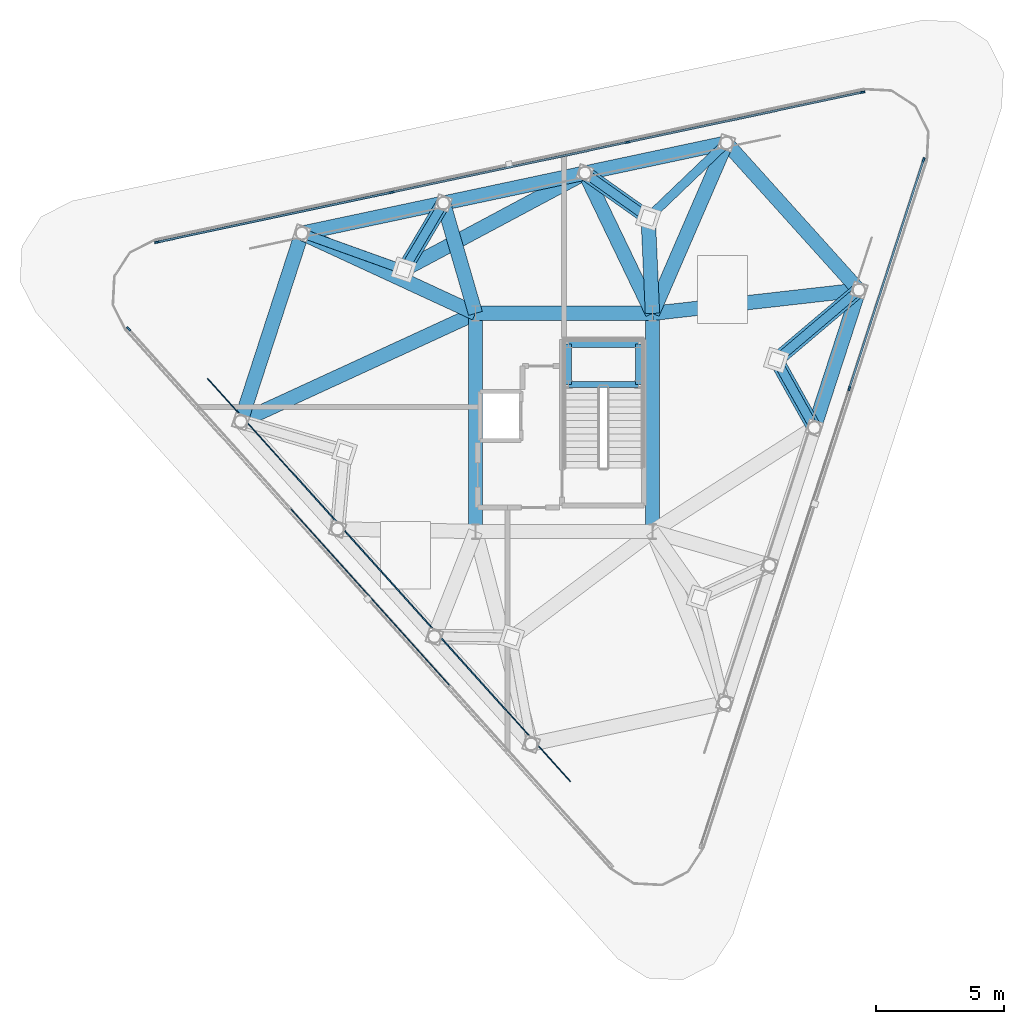
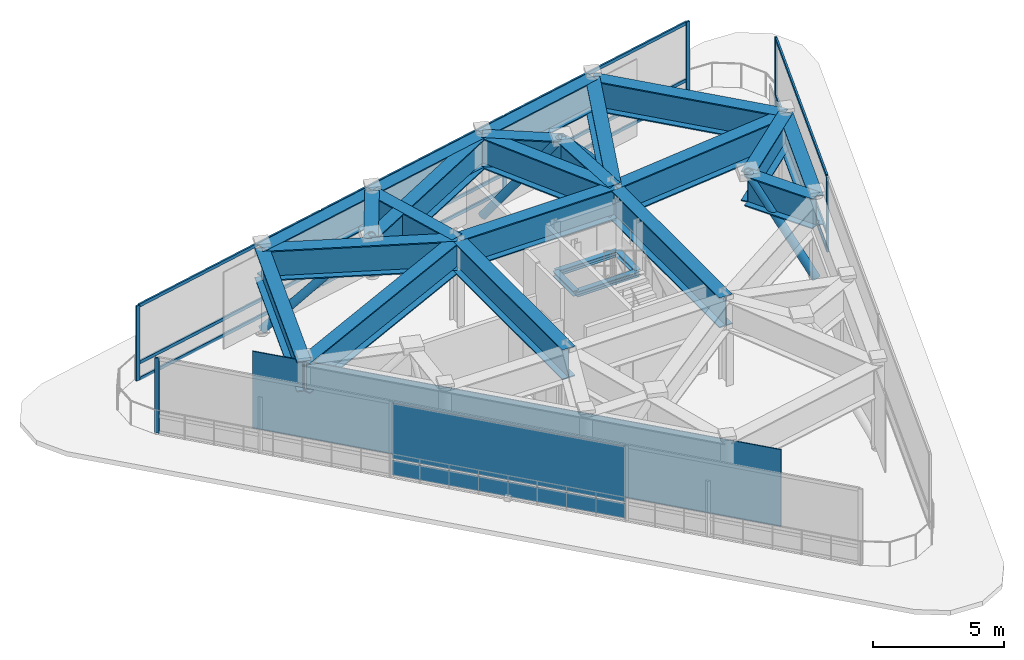
# One storey, part 2 of 6: 25 beams, 25 members, 3 plates, 3 elements without a shape of their own.
"""IFC4 building model written with IfcOpenShell, lengths in metres."""

from ifc_helpers import new_model, si_unit, direction, frame, origin, origin_2d, place, context, subcontext, project, spatial, rectangle, hollow_circle, i_section, extrude, material, layer, layer_set, material_profile, profile_set, type_object, element, aggregate, save


model = new_model("IFC4")

# Units and contexts
model_context = context("Model", 3, precision=1e-05, world=origin(), true_north=direction((0.0, 1.0)))
body_context = subcontext(model_context, "Body", "Model", "MODEL_VIEW")
ifc_project = project(units=[si_unit("LENGTHUNIT", "METRE"), si_unit("AREAUNIT", "SQUARE_METRE"), si_unit("VOLUMEUNIT", "CUBIC_METRE"), si_unit("PLANEANGLEUNIT", "RADIAN"), si_unit("MASSUNIT", "GRAM", prefix="KILO")], contexts=[model_context])

# Site, building, storey
site_placement = place(None, origin())
site = spatial("IfcSite", under=ifc_project, at=site_placement, CompositionType="ELEMENT")
building_placement = place(site_placement, origin())
building = spatial("IfcBuilding", under=site, at=building_placement, Name="Terralouvre Media Tower", CompositionType="ELEMENT")
storey_placement = place(building_placement, frame((0.0, 0.0, 326.60009765625)))
storey = spatial("IfcBuildingStorey", under=building, at=storey_placement, Name="L84", CompositionType="ELEMENT", Elevation=326.60009765625)

# Curtain wall, members
ifc_material_1 = material(Name="Low-iron laminated double glazing with solar-control coating", Category="glass")
ifc_layer_1 = layer(ifc_material_1, 0.1650390625, Name="Faceted Glass-Point Crown Curtain Wall CW-06")
ifc_layer_set_1 = layer_set([ifc_layer_1], Name="Low-iron laminated double glazing with solar-control coating")
curtain_wall_type = type_object("IfcCurtainWallType", Name="Faceted Glass-Point Crown Curtain Wall CW-06", PredefinedType="NOTDEFINED", material=ifc_layer_set_1)
curtain_wall_1_placement = place(storey_placement, origin())
curtain_wall_1 = element("IfcCurtainWall", 1, at=curtain_wall_1_placement, inside=storey, type_object=curtain_wall_type, Name="L84 Facade Curtain Wall F0", PredefinedType="NOTDEFINED")
ifc_material_2 = material(Name="Anodised extruded aluminium 6063-T6", Category="aluminium")
ifc_material_profile_1 = material_profile(ifc_material_2, rectangle(XDim=0.074951171875, YDim=0.14990234375, at=origin_2d()), Name="ALU 75x150")
ifc_profile_set_1 = profile_set([ifc_material_profile_1], Name="Anodised extruded aluminium 6063-T6")
member_type_1 = type_object("IfcMemberType", Name="Curtain-Wall Horizontal Transom TR-150", PredefinedType="USERDEFINED", material=ifc_profile_set_1)
member_1_placement = place(storey_placement, frame((11.13671875, 1.36279296875, 0.037353515625), z_axis=(0.309034359015, 0.951050874006, 0.0), x_axis=(-0.951050874006, 0.309034359015, 0.0)))
member_1 = element("IfcMember", 2, at=member_1_placement, type_object=member_type_1, Name="CW-06 transom 3.1", ObjectType="TRANSOM", PredefinedType="USERDEFINED", context=body_context, shape_type="SweptSolid", body=[
    extrude(rectangle(XDim=0.074951171875, YDim=0.14990234375, at=origin_2d()), origin(), (0.0, 0.0, 1.0), 9.287353515625),
])
member_2_placement = place(storey_placement, frame((11.13671875, 1.36279296875, 0.7998046875), z_axis=(0.309034359015, 0.951050874006, 0.0), x_axis=(-0.951050874006, 0.309034359015, 0.0)))
member_2 = element("IfcMember", 3, at=member_2_placement, type_object=member_type_1, Name="CW-06 transom 3.2", ObjectType="TRANSOM", PredefinedType="USERDEFINED", context=body_context, shape_type="SweptSolid", body=[
    extrude(rectangle(XDim=0.074951171875, YDim=0.14990234375, at=origin_2d()), origin(), (0.0, 0.0, 1.0), 9.287353515625),
])
member_3_placement = place(storey_placement, frame((11.13671875, 1.36279296875, 3.4423828125), z_axis=(0.309034359015, 0.951050874006, 0.0), x_axis=(-0.951050874006, 0.309034359015, 0.0)))
member_3 = element("IfcMember", 4, at=member_3_placement, type_object=member_type_1, Name="CW-06 transom 3.3", ObjectType="TRANSOM", PredefinedType="USERDEFINED", context=body_context, shape_type="SweptSolid", body=[
    extrude(rectangle(XDim=0.074951171875, YDim=0.14990234375, at=origin_2d()), origin(), (0.0, 0.0, 1.0), 9.287353515625),
])

curtain_wall_2_placement = place(storey_placement, origin())
curtain_wall_2 = element("IfcCurtainWall", 5, at=curtain_wall_2_placement, inside=storey, type_object=curtain_wall_type, Name="L84 Facade Curtain Wall F1", PredefinedType="NOTDEFINED")
member_4_placement = place(storey_placement, frame((11.60400390625, 12.8642578125, 0.037353515625), z_axis=(-0.978149964696, -0.207900568939, 0.0), x_axis=(0.207900568939, -0.978149964696, 0.0)))
member_4 = element("IfcMember", 6, at=member_4_placement, type_object=member_type_1, Name="CW-06 transom 1.1", ObjectType="TRANSOM", PredefinedType="USERDEFINED", context=body_context, shape_type="SweptSolid", body=[
    extrude(rectangle(XDim=0.074951171875, YDim=0.14990234375, at=origin_2d()), origin(), (0.0, 0.0, 1.0), 9.28759765625),
])
member_5_placement = place(storey_placement, frame((11.60400390625, 12.8642578125, 0.7998046875), z_axis=(-0.978149964696, -0.207900568939, 0.0), x_axis=(0.207900568939, -0.978149964696, 0.0)))
member_5 = element("IfcMember", 7, at=member_5_placement, type_object=member_type_1, Name="CW-06 transom 1.2", ObjectType="TRANSOM", PredefinedType="USERDEFINED", context=body_context, shape_type="SweptSolid", body=[
    extrude(rectangle(XDim=0.074951171875, YDim=0.14990234375, at=origin_2d()), origin(), (0.0, 0.0, 1.0), 9.28759765625),
])
member_6_placement = place(storey_placement, frame((11.60400390625, 12.8642578125, 3.4423828125), z_axis=(-0.978149964696, -0.207900568939, 0.0), x_axis=(0.207900568939, -0.978149964696, 0.0)))
member_6 = element("IfcMember", 8, at=member_6_placement, type_object=member_type_1, Name="CW-06 transom 1.3", ObjectType="TRANSOM", PredefinedType="USERDEFINED", context=body_context, shape_type="SweptSolid", body=[
    extrude(rectangle(XDim=0.074951171875, YDim=0.14990234375, at=origin_2d()), origin(), (0.0, 0.0, 1.0), 9.28759765625),
])
member_7_placement = place(storey_placement, frame((2.446044921875, 10.917724609375, 0.037353515625), z_axis=(-0.978149334857, -0.207903532242, 0.0), x_axis=(0.207903532242, -0.978149334857, 0.0)))
member_7 = element("IfcMember", 9, at=member_7_placement, type_object=member_type_1, Name="CW-06 transom 2.1", ObjectType="TRANSOM", PredefinedType="USERDEFINED", context=body_context, shape_type="SweptSolid", body=[
    extrude(rectangle(XDim=0.074951171875, YDim=0.14990234375, at=origin_2d()), origin(), (0.0, 0.0, 1.0), 9.3251953125),
])
member_8_placement = place(storey_placement, frame((2.446044921875, 10.917724609375, 0.7998046875), z_axis=(-0.978149334857, -0.207903532242, 0.0), x_axis=(0.207903532242, -0.978149334857, 0.0)))
member_8 = element("IfcMember", 10, at=member_8_placement, type_object=member_type_1, Name="CW-06 transom 2.2", ObjectType="TRANSOM", PredefinedType="USERDEFINED", context=body_context, shape_type="SweptSolid", body=[
    extrude(rectangle(XDim=0.074951171875, YDim=0.14990234375, at=origin_2d()), origin(), (0.0, 0.0, 1.0), 9.3251953125),
])
member_9_placement = place(storey_placement, frame((2.446044921875, 10.917724609375, 3.4423828125), z_axis=(-0.978149334857, -0.207903532242, 0.0), x_axis=(0.207903532242, -0.978149334857, 0.0)))
member_9 = element("IfcMember", 11, at=member_9_placement, type_object=member_type_1, Name="CW-06 transom 2.3", ObjectType="TRANSOM", PredefinedType="USERDEFINED", context=body_context, shape_type="SweptSolid", body=[
    extrude(rectangle(XDim=0.074951171875, YDim=0.14990234375, at=origin_2d()), origin(), (0.0, 0.0, 1.0), 9.3251953125),
])
member_10_placement = place(storey_placement, frame((-6.74853515625, 8.96337890625, 0.037353515625), z_axis=(-0.978148828477, -0.207905914658, 0.0), x_axis=(0.207905914658, -0.978148828477, 0.0)))
member_10 = element("IfcMember", 12, at=member_10_placement, type_object=member_type_1, Name="CW-06 transom 3.1", ObjectType="TRANSOM", PredefinedType="USERDEFINED", context=body_context, shape_type="SweptSolid", body=[
    extrude(rectangle(XDim=0.074951171875, YDim=0.14990234375, at=origin_2d()), origin(), (0.0, 0.0, 1.0), 9.287353515625),
])
member_11_placement = place(storey_placement, frame((-6.74853515625, 8.96337890625, 0.7998046875), z_axis=(-0.978148828477, -0.207905914658, 0.0), x_axis=(0.207905914658, -0.978148828477, 0.0)))
member_11 = element("IfcMember", 13, at=member_11_placement, type_object=member_type_1, Name="CW-06 transom 3.2", ObjectType="TRANSOM", PredefinedType="USERDEFINED", context=body_context, shape_type="SweptSolid", body=[
    extrude(rectangle(XDim=0.074951171875, YDim=0.14990234375, at=origin_2d()), origin(), (0.0, 0.0, 1.0), 9.287353515625),
])
member_12_placement = place(storey_placement, frame((-6.74853515625, 8.96337890625, 3.4423828125), z_axis=(-0.978148828477, -0.207905914658, 0.0), x_axis=(0.207905914658, -0.978148828477, 0.0)))
member_12 = element("IfcMember", 14, at=member_12_placement, type_object=member_type_1, Name="CW-06 transom 3.3", ObjectType="TRANSOM", PredefinedType="USERDEFINED", context=body_context, shape_type="SweptSolid", body=[
    extrude(rectangle(XDim=0.074951171875, YDim=0.14990234375, at=origin_2d()), origin(), (0.0, 0.0, 1.0), 9.287353515625),
])

# Member
ifc_material_3 = material(Name="Anodised extruded aluminium 6063-T6", Category="aluminium")
ifc_material_profile_2 = material_profile(ifc_material_3, rectangle(XDim=0.074951171875, YDim=0.179931640625, at=origin_2d()), Name="ALU 75x180")
ifc_profile_set_2 = profile_set([ifc_material_profile_2], Name="Anodised extruded aluminium 6063-T6")
member_type_2 = type_object("IfcMemberType", Name="Curtain-Wall Vertical Mullion ML-180", PredefinedType="MULLION", material=ifc_profile_set_2)
member_13_placement = place(storey_placement, frame((11.125244140625, 1.3271484375, 0.0), z_axis=(0.0, 0.0, 1.0), x_axis=(-0.95105652952, 0.309016953674, 0.0)))
member_13 = element("IfcMember", 15, at=member_13_placement, type_object=member_type_2, Name="CW-06 mullion 3", PredefinedType="MULLION", context=body_context, shape_type="SweptSolid", body=[
    extrude(rectangle(XDim=0.074951171875, YDim=0.179931640625, at=origin_2d()), origin(), (0.0, 0.0, 1.0), 3.47998046875),
])

member_14_placement = place(storey_placement, frame((14.018310546875, 10.2314453125, 0.0), z_axis=(0.0, 0.0, 1.0), x_axis=(-0.95105652952, 0.309016953674, 0.0)))
member_14 = element("IfcMember", 16, at=member_14_placement, type_object=member_type_2, Name="CW-06 mullion 4", PredefinedType="MULLION", context=body_context, shape_type="SweptSolid", body=[
    extrude(rectangle(XDim=0.074951171875, YDim=0.179931640625, at=origin_2d()), origin(), (0.0, 0.0, 1.0), 3.47998046875),
])

aggregate(curtain_wall_1, [member_13, member_14, member_1, member_2, member_3])

member_15_placement = place(storey_placement, frame((11.640625, 12.8720703125, 0.0), z_axis=(0.0, 0.0, 1.0), x_axis=(0.207911646397, -0.978147610176, 0.0)))
member_15 = element("IfcMember", 17, at=member_15_placement, type_object=member_type_2, Name="CW-06 mullion 1", PredefinedType="MULLION", context=body_context, shape_type="SweptSolid", body=[
    extrude(rectangle(XDim=0.074951171875, YDim=0.179931640625, at=origin_2d()), origin(), (0.0, 0.0, 1.0), 3.47998046875),
])

member_16_placement = place(storey_placement, frame((2.482666015625, 10.925537109375, 0.0), z_axis=(0.0, 0.0, 1.0), x_axis=(0.207911646397, -0.978147610176, 0.0)))
member_16 = element("IfcMember", 18, at=member_16_placement, type_object=member_type_2, Name="CW-06 mullion 2", PredefinedType="MULLION", context=body_context, shape_type="SweptSolid", body=[
    extrude(rectangle(XDim=0.074951171875, YDim=0.179931640625, at=origin_2d()), origin(), (0.0, 0.0, 1.0), 3.47998046875),
])

member_17_placement = place(storey_placement, frame((-6.7119140625, 8.97119140625, 0.0), z_axis=(0.0, 0.0, 1.0), x_axis=(0.207911646397, -0.978147610176, 0.0)))
member_17 = element("IfcMember", 19, at=member_17_placement, type_object=member_type_2, Name="CW-06 mullion 3", PredefinedType="MULLION", context=body_context, shape_type="SweptSolid", body=[
    extrude(rectangle(XDim=0.074951171875, YDim=0.179931640625, at=origin_2d()), origin(), (0.0, 0.0, 1.0), 3.47998046875),
])

member_18_placement = place(storey_placement, frame((-15.869873046875, 7.024658203125, 0.0), z_axis=(0.0, 0.0, 1.0), x_axis=(0.207911646397, -0.978147610176, 0.0)))
member_18 = element("IfcMember", 20, at=member_18_placement, type_object=member_type_2, Name="CW-06 mullion 4", PredefinedType="MULLION", context=body_context, shape_type="SweptSolid", body=[
    extrude(rectangle(XDim=0.074951171875, YDim=0.179931640625, at=origin_2d()), origin(), (0.0, 0.0, 1.0), 3.47998046875),
])

aggregate(curtain_wall_2, [member_15, member_16, member_17, member_18, member_4, member_5, member_6, member_7, member_8, member_9, member_10, member_11, member_12])

# Curtain wall, member
curtain_wall_3_placement = place(storey_placement, origin())
curtain_wall_3 = element("IfcCurtainWall", 21, at=curtain_wall_3_placement, inside=storey, type_object=curtain_wall_type, Name="L84 Facade Curtain Wall F2", PredefinedType="NOTDEFINED")
member_19_placement = place(storey_placement, frame((-16.968017578125, 3.64501953125, 0.0), z_axis=(0.0, 0.0, 1.0), x_axis=(0.743144974145, 0.669130441247, 0.0)))
member_19 = element("IfcMember", 22, at=member_19_placement, type_object=member_type_2, Name="CW-06 mullion 1", PredefinedType="MULLION", context=body_context, shape_type="SweptSolid", body=[
    extrude(rectangle(XDim=0.074951171875, YDim=0.179931640625, at=origin_2d()), origin(), (0.0, 0.0, 1.0), 3.47998046875),
])

# Members
ifc_material_4 = material(Name="Structural steel S355J2", Category="steel")
ifc_material_profile_3 = material_profile(ifc_material_4, hollow_circle(Radius=0.177734375, WallThickness=0.01611328125, at=origin_2d()), Name="CHS 355.6x16")
ifc_profile_set_3 = profile_set([ifc_material_profile_3], Name="Structural steel S355J2")
member_type_3 = type_object("IfcMemberType", Name="Faceted Crown Rib Rafter RF-CHS356 (CHS 355.6x16)", PredefinedType="RAFTER", material=ifc_profile_set_3)
member_20_placement = place(storey_placement, frame((9.7548828125, -0.204345703125, 0.14990234375), z_axis=(-0.302760240417, 0.540364475376, 0.785074818457), x_axis=(-0.872398533796, -0.488795251849, 0.0)))
element("IfcMember", 23, at=member_20_placement, inside=storey, type_object=member_type_3, Name="L84 Faceted Glass-Point Crown Rib 03", PredefinedType="RAFTER", context=body_context, shape_type="SweptSolid", body=[
    extrude(hollow_circle(Radius=0.177734375, WallThickness=0.01611328125, at=origin_2d()), origin(), (0.0, 0.0, 1.0), 4.878662109375),
])
for number, where, z_axis, x_axis, name in (
    (24, (11.497802734375, 5.159423828125, 0.14990234375), (-0.565018632997, -0.478610066558, 0.672076147885), (0.64634932484, -0.76304164387, 0.0), "L84 Faceted Glass-Point Crown Rib 04"),
    (25, (6.3330078125, 10.8955078125, 0.14990234375), (-0.535065814391, -0.511889624992, 0.672066653015), (0.691284379863, -0.722582802284, 0.0), "L84 Faceted Glass-Point Crown Rib 05"),
):
    element("IfcMember", number, at=place(storey_placement, frame(where, z_axis=z_axis, x_axis=x_axis)), inside=storey, type_object=member_type_3, Name=name, PredefinedType="RAFTER", context=body_context, shape_type="SweptSolid", body=[
        extrude(hollow_circle(Radius=0.177734375, WallThickness=0.01611328125, at=origin_2d()), origin(), (0.0, 0.0, 1.0), 5.698974609375),
    ])
for number, where, z_axis, x_axis, name in (
    (26, (0.81640625, 9.722900390625, 0.14990234375), (0.505736451765, -0.35760861709, 0.785077523777), (0.577349131044, 0.816497385717, 0.0), "L84 Faceted Glass-Point Crown Rib 06"),
    (27, (-4.700439453125, 8.55029296875, 0.14990234375), (-0.316569221663, -0.53240277415, 0.785067649297), (0.859532051202, -0.511081845653, 0.0), "L84 Faceted Glass-Point Crown Rib 07"),
):
    element("IfcMember", number, at=place(storey_placement, frame(where, z_axis=z_axis, x_axis=x_axis)), inside=storey, type_object=member_type_3, Name=name, PredefinedType="RAFTER", context=body_context, shape_type="SweptSolid", body=[
        extrude(hollow_circle(Radius=0.177734375, WallThickness=0.01611328125, at=origin_2d()), origin(), (0.0, 0.0, 1.0), 4.878662109375),
    ])
member_21_placement = place(storey_placement, frame((-10.21728515625, 7.377685546875, 0.14990234375), z_axis=(0.69702570637, -0.250005655607, 0.672050843927), x_axis=(0.337615078559, 0.941284260322, 0.0)))
element("IfcMember", 28, at=member_21_placement, inside=storey, type_object=member_type_3, Name="L84 Faceted Glass-Point Crown Rib 08", PredefinedType="RAFTER", context=body_context, shape_type="SweptSolid", body=[
    extrude(hollow_circle(Radius=0.177734375, WallThickness=0.01611328125, at=origin_2d()), origin(), (0.0, 0.0, 1.0), 5.698974609375),
])

# Beams
ifc_material_5 = material(Name="Structural steel S355J2", Category="steel")
ifc_material_profile_4 = material_profile(ifc_material_5, i_section(OverallWidth=0.239990234375, OverallDepth=0.239990234375, WebThickness=0.010009765625, FlangeThickness=0.01708984375, at=origin_2d()), Name="HEB 240")
ifc_profile_set_4 = profile_set([ifc_material_profile_4], Name="Structural steel S355J2")
beam_type_1 = type_object("IfcBeamType", Name="Opening Lintel Beam LN-240H (HEB 240)", PredefinedType="LINTEL", material=ifc_profile_set_4)
for number, where, z_axis, x_axis, name in (
    (29, (0.179931640625, 1.47998046875, 1.77978515625), (1.0, 0.0, 0.0), (0.0, 1.0, 0.0), "L84 ST-05 Landing Support Beam 1S"),
    (30, (0.179931640625, 3.050048828125, 1.77978515625), (1.0, 0.0, 0.0), (0.0, 1.0, 0.0), "L84 ST-05 Landing Support Beam 1N"),
):
    element("IfcBeam", number, at=place(storey_placement, frame(where, z_axis=z_axis, x_axis=x_axis)), inside=storey, type_object=beam_type_1, Name=name, PredefinedType="LINTEL", context=body_context, shape_type="SweptSolid", body=[
        extrude(i_section(OverallWidth=0.239990234375, OverallDepth=0.239990234375, WebThickness=0.010009765625, FlangeThickness=0.01708984375, at=origin_2d()), origin(), (0.0, 0.0, 1.0), 2.719970703125),
    ])
for number, where, z_axis, x_axis, name in (
    (31, (0.179931640625, 1.47998046875, 1.77978515625), (0.0, 1.0, 0.0), (-1.0, 0.0, 0.0), "L84 ST-05 Landing Support Beam 1WC"),
    (32, (2.89990234375, 1.47998046875, 1.77978515625), (0.0, 1.0, 0.0), (-1.0, 0.0, 0.0), "L84 ST-05 Landing Support Beam 1EC"),
):
    element("IfcBeam", number, at=place(storey_placement, frame(where, z_axis=z_axis, x_axis=x_axis)), inside=storey, type_object=beam_type_1, Name=name, PredefinedType="LINTEL", context=body_context, shape_type="SweptSolid", body=[
        extrude(i_section(OverallWidth=0.239990234375, OverallDepth=0.239990234375, WebThickness=0.010009765625, FlangeThickness=0.01708984375, at=origin_2d()), origin(), (0.0, 0.0, 1.0), 1.570068359375),
    ])
ifc_material_6 = material(Name="Structural steel S460M", Category="steel")
ifc_material_profile_5 = material_profile(ifc_material_6, i_section(OverallWidth=0.56005859375, OverallDepth=1.39990234375, WebThickness=0.031982421875, FlangeThickness=0.050048828125, at=origin_2d()), Name="TG 1400x560")
ifc_profile_set_5 = profile_set([ifc_material_profile_5], Name="Structural steel S460M")
beam_type_2 = type_object("IfcBeamType", Name="Welded Transfer Girder TG-1400 (TG 1400x560)", PredefinedType="USERDEFINED", material=ifc_profile_set_5)
beam_1_placement = place(storey_placement, frame((3.449951171875, -4.25, 3.27978515625), z_axis=(0.0, 1.0, 0.0), x_axis=(-1.0, 0.0, 0.0)))
element("IfcBeam", 33, at=beam_1_placement, inside=storey, type_object=beam_type_2, Name="L84 Framing Beam BM-L84-CR02", ObjectType="TRANSFER GIRDER", PredefinedType="USERDEFINED", context=body_context, shape_type="SweptSolid", body=[
    extrude(i_section(OverallWidth=0.56005859375, OverallDepth=1.39990234375, WebThickness=0.031982421875, FlangeThickness=0.050048828125, at=origin_2d()), origin(), (0.0, 0.0, 1.0), 8.5),
])
beam_2_placement = place(storey_placement, frame((3.449951171875, 4.25, 3.27978515625), z_axis=(-1.0, 0.0, 0.0), x_axis=(0.0, -1.0, 0.0)))
element("IfcBeam", 34, at=beam_2_placement, inside=storey, type_object=beam_type_2, Name="L84 Framing Beam BM-L84-CR03", ObjectType="TRANSFER GIRDER", PredefinedType="USERDEFINED", context=body_context, shape_type="SweptSolid", body=[
    extrude(i_section(OverallWidth=0.56005859375, OverallDepth=1.39990234375, WebThickness=0.031982421875, FlangeThickness=0.050048828125, at=origin_2d()), origin(), (0.0, 0.0, 1.0), 6.89990234375),
])
beam_3_placement = place(storey_placement, frame((-3.449951171875, 4.25, 3.27978515625), z_axis=(0.0, -1.0, 0.0), x_axis=(1.0, 0.0, 0.0)))
element("IfcBeam", 35, at=beam_3_placement, inside=storey, type_object=beam_type_2, Name="L84 Framing Beam BM-L84-CR04", ObjectType="TRANSFER GIRDER", PredefinedType="USERDEFINED", context=body_context, shape_type="SweptSolid", body=[
    extrude(i_section(OverallWidth=0.56005859375, OverallDepth=1.39990234375, WebThickness=0.031982421875, FlangeThickness=0.050048828125, at=origin_2d()), origin(), (0.0, 0.0, 1.0), 8.5),
])
beam_4_placement = place(storey_placement, frame((9.7548828125, -0.204345703125, 3.27978515625), z_axis=(0.309037130635, 0.951049973392, 0.0), x_axis=(-0.951049973392, 0.309037130635, 0.0)))
element("IfcBeam", 36, at=beam_4_placement, inside=storey, type_object=beam_type_2, Name="L84 Framing Beam BM-L84-PR06", ObjectType="TRANSFER GIRDER", PredefinedType="USERDEFINED", context=body_context, shape_type="SweptSolid", body=[
    extrude(i_section(OverallWidth=0.56005859375, OverallDepth=1.39990234375, WebThickness=0.031982421875, FlangeThickness=0.050048828125, at=origin_2d()), origin(), (0.0, 0.0, 1.0), 5.639892578125),
])
beam_5_placement = place(storey_placement, frame((11.497802734375, 5.159423828125, 3.27978515625), z_axis=(-0.669130728272, 0.743144715706, 0.0), x_axis=(-0.743144715706, -0.669130728272, 0.0)))
element("IfcBeam", 37, at=beam_5_placement, inside=storey, type_object=beam_type_2, Name="L84 Framing Beam BM-L84-PR07", ObjectType="TRANSFER GIRDER", PredefinedType="USERDEFINED", context=body_context, shape_type="SweptSolid", body=[
    extrude(i_section(OverallWidth=0.56005859375, OverallDepth=1.39990234375, WebThickness=0.031982421875, FlangeThickness=0.050048828125, at=origin_2d()), origin(), (0.0, 0.0, 1.0), 7.71875),
])
beam_6_placement = place(storey_placement, frame((6.3330078125, 10.8955078125, 3.27978515625), z_axis=(-0.978146967471, -0.207914670064, 0.0), x_axis=(0.207914670064, -0.978146967471, 0.0)))
element("IfcBeam", 38, at=beam_6_placement, inside=storey, type_object=beam_type_2, Name="L84 Framing Beam BM-L84-PR08", ObjectType="TRANSFER GIRDER", PredefinedType="USERDEFINED", context=body_context, shape_type="SweptSolid", body=[
    extrude(i_section(OverallWidth=0.56005859375, OverallDepth=1.39990234375, WebThickness=0.031982421875, FlangeThickness=0.050048828125, at=origin_2d()), origin(), (0.0, 0.0, 1.0), 5.639892578125),
])
beam_7_placement = place(storey_placement, frame((0.81640625, 9.722900390625, 3.27978515625), z_axis=(-0.978148838649, -0.207905866798, 0.0), x_axis=(0.207905866798, -0.978148838649, 0.0)))
element("IfcBeam", 39, at=beam_7_placement, inside=storey, type_object=beam_type_2, Name="L84 Framing Beam BM-L84-PR09", ObjectType="TRANSFER GIRDER", PredefinedType="USERDEFINED", context=body_context, shape_type="SweptSolid", body=[
    extrude(i_section(OverallWidth=0.56005859375, OverallDepth=1.39990234375, WebThickness=0.031982421875, FlangeThickness=0.050048828125, at=origin_2d()), origin(), (0.0, 0.0, 1.0), 5.64013671875),
])
beam_8_placement = place(storey_placement, frame((-4.700439453125, 8.55029296875, 3.27978515625), z_axis=(-0.978146967471, -0.207914670064, 0.0), x_axis=(0.207914670064, -0.978146967471, 0.0)))
element("IfcBeam", 40, at=beam_8_placement, inside=storey, type_object=beam_type_2, Name="L84 Framing Beam BM-L84-PR10", ObjectType="TRANSFER GIRDER", PredefinedType="USERDEFINED", context=body_context, shape_type="SweptSolid", body=[
    extrude(i_section(OverallWidth=0.56005859375, OverallDepth=1.39990234375, WebThickness=0.031982421875, FlangeThickness=0.050048828125, at=origin_2d()), origin(), (0.0, 0.0, 1.0), 5.639892578125),
])
beam_9_placement = place(storey_placement, frame((-10.217041015625, 7.377685546875, 3.27978515625), z_axis=(-0.309025994215, -0.951053592023, 0.0), x_axis=(0.951053592023, -0.309025994215, 0.0)))
element("IfcBeam", 41, at=beam_9_placement, inside=storey, type_object=beam_type_2, Name="L84 Framing Beam BM-L84-PR11", ObjectType="TRANSFER GIRDER", PredefinedType="USERDEFINED", context=body_context, shape_type="SweptSolid", body=[
    extrude(i_section(OverallWidth=0.56005859375, OverallDepth=1.39990234375, WebThickness=0.031982421875, FlangeThickness=0.050048828125, at=origin_2d()), origin(), (0.0, 0.0, 1.0), 7.718505859375),
])
beam_10_placement = place(storey_placement, frame((3.449951171875, 4.25, 3.27978515625), z_axis=(0.993675770627, 0.112287411891, 0.0), x_axis=(-0.112287411891, 0.993675770627, 0.0)))
element("IfcBeam", 42, at=beam_10_placement, inside=storey, type_object=beam_type_2, Name="L84 Framing Beam BM-L84-RD07", ObjectType="TRANSFER GIRDER", PredefinedType="USERDEFINED", context=body_context, shape_type="SweptSolid", body=[
    extrude(i_section(OverallWidth=0.56005859375, OverallDepth=1.39990234375, WebThickness=0.031982421875, FlangeThickness=0.050048828125, at=origin_2d()), origin(), (0.0, 0.0, 1.0), 8.09912109375),
])
beam_11_placement = place(storey_placement, frame((3.449951171875, 4.25, 3.27978515625), z_axis=(0.397995188106, 0.917387502773, 0.0), x_axis=(-0.917387502773, 0.397995188106, 0.0)))
element("IfcBeam", 43, at=beam_11_placement, inside=storey, type_object=beam_type_2, Name="L84 Framing Beam BM-L84-RD08", ObjectType="TRANSFER GIRDER", PredefinedType="USERDEFINED", context=body_context, shape_type="SweptSolid", body=[
    extrude(i_section(OverallWidth=0.56005859375, OverallDepth=1.39990234375, WebThickness=0.031982421875, FlangeThickness=0.050048828125, at=origin_2d()), origin(), (0.0, 0.0, 1.0), 7.243896484375),
])
beam_12_placement = place(storey_placement, frame((3.449951171875, 4.25, 3.27978515625), z_axis=(-0.433607727465, 0.901101736033, 0.0), x_axis=(-0.901101736033, -0.433607727465, 0.0)))
element("IfcBeam", 44, at=beam_12_placement, inside=storey, type_object=beam_type_2, Name="L84 Framing Beam BM-L84-RD09", ObjectType="TRANSFER GIRDER", PredefinedType="USERDEFINED", context=body_context, shape_type="SweptSolid", body=[
    extrude(i_section(OverallWidth=0.56005859375, OverallDepth=1.39990234375, WebThickness=0.031982421875, FlangeThickness=0.050048828125, at=origin_2d()), origin(), (0.0, 0.0, 1.0), 6.073486328125),
])
beam_13_placement = place(storey_placement, frame((-3.449951171875, 4.25, 3.27978515625), z_axis=(-0.279225361046, 0.96022559732, 0.0), x_axis=(-0.96022559732, -0.279225361046, 0.0)))
element("IfcBeam", 45, at=beam_13_placement, inside=storey, type_object=beam_type_2, Name="L84 Framing Beam BM-L84-RD10", ObjectType="TRANSFER GIRDER", PredefinedType="USERDEFINED", context=body_context, shape_type="SweptSolid", body=[
    extrude(i_section(OverallWidth=0.56005859375, OverallDepth=1.39990234375, WebThickness=0.031982421875, FlangeThickness=0.050048828125, at=origin_2d()), origin(), (0.0, 0.0, 1.0), 4.478515625),
])
beam_14_placement = place(storey_placement, frame((-3.449951171875, 4.25, 3.27978515625), z_axis=(-0.907734004807, 0.419546155407, 0.0), x_axis=(-0.419546155407, -0.907734004807, 0.0)))
element("IfcBeam", 46, at=beam_14_placement, inside=storey, type_object=beam_type_2, Name="L84 Framing Beam BM-L84-RD11", ObjectType="TRANSFER GIRDER", PredefinedType="USERDEFINED", context=body_context, shape_type="SweptSolid", body=[
    extrude(i_section(OverallWidth=0.56005859375, OverallDepth=1.39990234375, WebThickness=0.031982421875, FlangeThickness=0.050048828125, at=origin_2d()), origin(), (0.0, 0.0, 1.0), 7.454833984375),
])
beam_15_placement = place(storey_placement, frame((-3.449951171875, 4.25, 3.27978515625), z_axis=(-0.908375238482, -0.418155982994, 0.0), x_axis=(0.418155982994, -0.908375238482, 0.0)))
element("IfcBeam", 47, at=beam_15_placement, inside=storey, type_object=beam_type_2, Name="L84 Framing Beam BM-L84-RD12", ObjectType="TRANSFER GIRDER", PredefinedType="USERDEFINED", context=body_context, shape_type="SweptSolid", body=[
    extrude(i_section(OverallWidth=0.56005859375, OverallDepth=1.39990234375, WebThickness=0.031982421875, FlangeThickness=0.050048828125, at=origin_2d()), origin(), (0.0, 0.0, 1.0), 10.075439453125),
])
beam_16_placement = place(storey_placement, frame((8.27783203125, 2.431884765625, 3.27978515625), z_axis=(0.488795251849, -0.872398533796, 0.0), x_axis=(0.872398533796, 0.488795251849, 0.0)))
element("IfcBeam", 48, at=beam_16_placement, inside=storey, type_object=beam_type_2, Name="L84 Framing Beam BM-L84-TR02S1", ObjectType="TRANSFER GIRDER", PredefinedType="USERDEFINED", context=body_context, shape_type="SweptSolid", body=[
    extrude(i_section(OverallWidth=0.56005859375, OverallDepth=1.39990234375, WebThickness=0.031982421875, FlangeThickness=0.050048828125, at=origin_2d()), origin(), (0.0, 0.0, 1.0), 3.021728515625),
])
beam_17_placement = place(storey_placement, frame((8.27783203125, 2.431884765625, 3.27978515625), z_axis=(0.76304164387, 0.64634932484, 0.0), x_axis=(-0.64634932484, 0.76304164387, 0.0)))
element("IfcBeam", 49, at=beam_17_placement, inside=storey, type_object=beam_type_2, Name="L84 Framing Beam BM-L84-TR02S2", ObjectType="TRANSFER GIRDER", PredefinedType="USERDEFINED", context=body_context, shape_type="SweptSolid", body=[
    extrude(i_section(OverallWidth=0.56005859375, OverallDepth=1.39990234375, WebThickness=0.031982421875, FlangeThickness=0.050048828125, at=origin_2d()), origin(), (0.0, 0.0, 1.0), 4.219970703125),
])
beam_18_placement = place(storey_placement, frame((3.28369140625, 7.978271484375, 3.27978515625), z_axis=(-0.816497385717, 0.577349131044, 0.0), x_axis=(-0.577349131044, -0.816497385717, 0.0)))
element("IfcBeam", 50, at=beam_18_placement, inside=storey, type_object=beam_type_2, Name="L84 Framing Beam BM-L84-TR03S1", ObjectType="TRANSFER GIRDER", PredefinedType="USERDEFINED", context=body_context, shape_type="SweptSolid", body=[
    extrude(i_section(OverallWidth=0.56005859375, OverallDepth=1.39990234375, WebThickness=0.031982421875, FlangeThickness=0.050048828125, at=origin_2d()), origin(), (0.0, 0.0, 1.0), 3.021728515625),
])
beam_19_placement = place(storey_placement, frame((3.28369140625, 7.978271484375, 3.27978515625), z_axis=(0.044550053796, -0.999007153481, 0.0), x_axis=(0.999007153481, 0.044550053796, 0.0)))
element("IfcBeam", 51, at=beam_19_placement, inside=storey, type_object=beam_type_2, Name="L84 Framing Beam BM-L84-TR03S2", ObjectType="TRANSFER GIRDER", PredefinedType="USERDEFINED", context=body_context, shape_type="SweptSolid", body=[
    extrude(i_section(OverallWidth=0.56005859375, OverallDepth=1.39990234375, WebThickness=0.031982421875, FlangeThickness=0.050048828125, at=origin_2d()), origin(), (0.0, 0.0, 1.0), 3.73193359375),
])
beam_20_placement = place(storey_placement, frame((-6.244873046875, 5.952880859375, 3.27978515625), z_axis=(0.511081845653, 0.859532051202, 0.0), x_axis=(-0.859532051202, 0.511081845653, 0.0)))
element("IfcBeam", 52, at=beam_20_placement, inside=storey, type_object=beam_type_2, Name="L84 Framing Beam BM-L84-TR04S1", ObjectType="TRANSFER GIRDER", PredefinedType="USERDEFINED", context=body_context, shape_type="SweptSolid", body=[
    extrude(i_section(OverallWidth=0.56005859375, OverallDepth=1.39990234375, WebThickness=0.031982421875, FlangeThickness=0.050048828125, at=origin_2d()), origin(), (0.0, 0.0, 1.0), 3.02197265625),
])
beam_21_placement = place(storey_placement, frame((-6.244873046875, 5.952880859375, 3.27978515625), z_axis=(0.882145161231, 0.470977615729, 0.0), x_axis=(-0.470977615729, 0.882145161231, 0.0)))
element("IfcBeam", 53, at=beam_21_placement, inside=storey, type_object=beam_type_2, Name="L84 Framing Beam BM-L84-TR04S2", ObjectType="TRANSFER GIRDER", PredefinedType="USERDEFINED", context=body_context, shape_type="SweptSolid", body=[
    extrude(i_section(OverallWidth=0.56005859375, OverallDepth=1.39990234375, WebThickness=0.031982421875, FlangeThickness=0.050048828125, at=origin_2d()), origin(), (0.0, 0.0, 1.0), 8.004638671875),
])

# Plate
ifc_material_7 = material(Name="Low-iron laminated double glazing with solar-control coating", Category="glass")
ifc_layer_2 = layer(ifc_material_7, 0.0419921875, Name="Crown Faceted Tapered Glass Panel CWP-04")
ifc_layer_set_2 = layer_set([ifc_layer_2], Name="Low-iron laminated double glazing with solar-control coating")
plate_type_1 = type_object("IfcPlateType", Name="Crown Faceted Tapered Glass Panel CWP-04", PredefinedType="SHEET", material=ifc_layer_set_2)
plate_1_placement = place(storey_placement, frame((-6.82275390625, -6.143310546875, 0.31494140625), z_axis=(0.0, 0.0, 1.0), x_axis=(0.66913073697, -0.743144707875, 0.0)))
element("IfcPlate", 54, at=plate_1_placement, inside=storey, type_object=plate_type_1, Name="L84 Faceted Glass-Point Crown Panel F2", PredefinedType="SHEET", context=body_context, shape_type="SweptSolid", body=[
    extrude(rectangle(XDim=21.142822265625, YDim=0.044921875, at=origin_2d()), origin(), (0.0, 0.0, 1.0), 3.570068359375),
])

ifc_material_8 = material(Name="Low-iron laminated double glazing with solar-control coating", Category="glass")
ifc_layer_3 = layer(ifc_material_8, 0.035888671875, Name="Vision Double-Glazed Unit CWP-01")
ifc_layer_set_3 = layer_set([ifc_layer_3], Name="Low-iron laminated double glazing with solar-control coating")
plate_type_2 = type_object("IfcPlateType", Name="Vision Double-Glazed Unit CWP-01", PredefinedType="CURTAIN_PANEL", material=ifc_layer_set_3)
plate_2_placement = place(storey_placement, frame((-7.558349609375, -6.805419921875, 0.074951171875), z_axis=(0.0, 0.0, 1.0), x_axis=(0.669130441247, -0.743144974145, 0.0)))
plate_2 = element("IfcPlate", 55, at=plate_2_placement, type_object=plate_type_2, Name="CW-06 panel 2.1", PredefinedType="CURTAIN_PANEL", context=body_context, shape_type="SweptSolid", body=[
    extrude(rectangle(XDim=9.324951171875, YDim=0.035888671875, at=origin_2d()), origin(), (0.0, 0.0, 1.0), 0.6875),
])

plate_3_placement = place(storey_placement, frame((-7.558349609375, -6.805419921875, 0.83740234375), z_axis=(0.0, 0.0, 1.0), x_axis=(0.669130441247, -0.743144974145, 0.0)))
plate_3 = element("IfcPlate", 56, at=plate_3_placement, type_object=plate_type_2, Name="CW-06 panel 2.2", PredefinedType="CURTAIN_PANEL", context=body_context, shape_type="SweptSolid", body=[
    extrude(rectangle(XDim=9.324951171875, YDim=0.035888671875, at=origin_2d()), origin(), (0.0, 0.0, 1.0), 2.5673828125),
])

aggregate(curtain_wall_3, [member_19, plate_2, plate_3])

save(model, "model.ifc")
